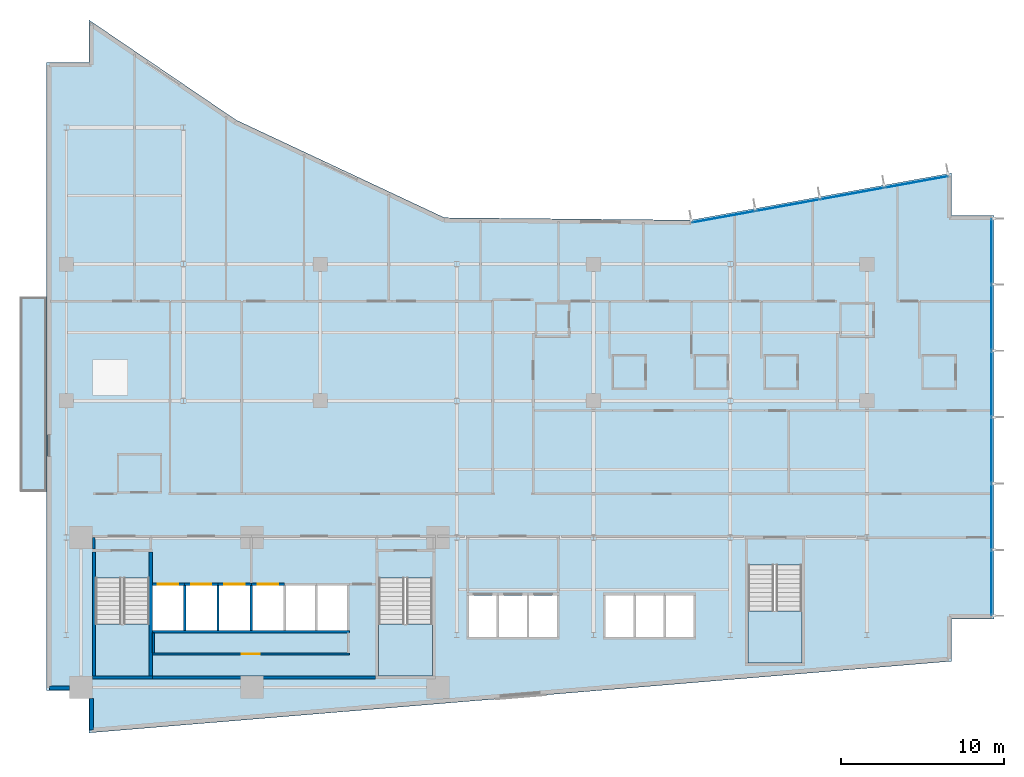
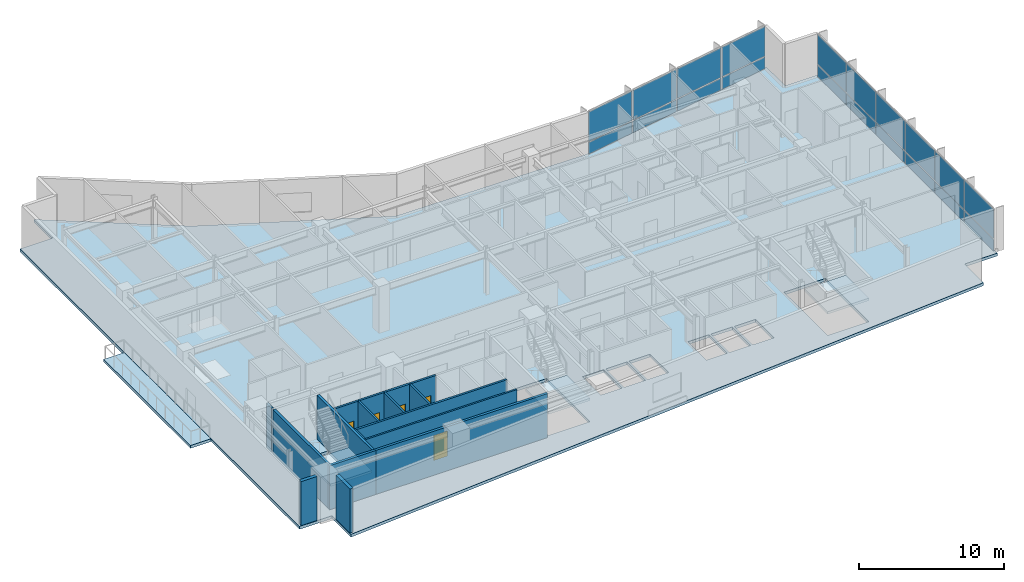
# One storey, part 11 of 22: 20 plates, 17 walls, 5 doors, 5 slabs, 5 openings, 5 elements without a shape of their own.
"""IFC4 building model written with IfcOpenShell, lengths in metres."""

from ifc_helpers import new_model, si_unit, direction, frame, frame_2d, origin, origin_2d, place, context, subcontext, project, spatial, polyline, rectangle, outline, extrude, material, layer, layer_set, type_object, element, fill, aggregate, save


model = new_model("IFC4")

# Units and contexts
model_context = context("Model", 3, precision=1e-05, world=origin(), true_north=direction((0.0, 1.0)))
body_context = subcontext(model_context, "Body", "Model", "MODEL_VIEW")
ifc_project = project(units=[si_unit("LENGTHUNIT", "METRE"), si_unit("AREAUNIT", "SQUARE_METRE"), si_unit("VOLUMEUNIT", "CUBIC_METRE"), si_unit("PLANEANGLEUNIT", "RADIAN"), si_unit("MASSUNIT", "GRAM", prefix="KILO")], contexts=[model_context])

# Site, building, storey
site_placement = place(None, origin())
site = spatial("IfcSite", under=ifc_project, at=site_placement, CompositionType="ELEMENT")
building_placement = place(site_placement, origin())
building = spatial("IfcBuilding", under=site, at=building_placement, Name="Varnakote Quay Hospital", CompositionType="ELEMENT")
storey_placement = place(building_placement, frame((0.0, 0.0, 65.949951171875)))
storey = spatial("IfcBuildingStorey", under=building, at=storey_placement, Name="L16", CompositionType="ELEMENT", Elevation=65.949951171875)

# Curtain wall, plates
ifc_material_1 = material(Name="Anodised aluminium 6063-T6 Bronze", Category="aluminium")
ifc_layer_1 = layer(ifc_material_1, 0.18994140625)
ifc_layer_set_1 = layer_set([ifc_layer_1], Name="Anodised aluminium 6063-T6 Bronze")
curtain_wall_type = type_object("IfcCurtainWallType", Name="CW-SYS-2", PredefinedType="NOTDEFINED", material=ifc_layer_set_1)
curtain_wall_1_placement = place(storey_placement, origin())
curtain_wall_1 = element("IfcCurtainWall", 1, at=curtain_wall_1_placement, inside=storey, type_object=curtain_wall_type, Name="L16 Unitised Bronze Curtain Wall 1", PredefinedType="NOTDEFINED")
ifc_material_2 = material(Name="Double-glazed acoustic laminated glass", Category="glass")
ifc_layer_2 = layer(ifc_material_2, 0.031982421875)
ifc_layer_set_2 = layer_set([ifc_layer_2], Name="Double-glazed acoustic laminated glass")
plate_type = type_object("IfcPlateType", Name="CW-PNL-GLZ-32", PredefinedType="CURTAIN_PANEL", material=ifc_layer_set_2)
plate_1_placement = place(storey_placement, frame((58.0400390625, 9.21875, 0.0751953125), z_axis=(0.0, 0.0, 1.0), x_axis=(0.0, 1.0, 0.0)))
plate_1 = element("IfcPlate", 2, at=plate_1_placement, type_object=plate_type, Name="-2-L16-1 panel 1.1", PredefinedType="CURTAIN_PANEL", context=body_context, shape_type="SweptSolid", body=[
    extrude(rectangle(XDim=3.967529296875, YDim=0.031982421875, at=origin_2d()), origin(), (0.0, 0.0, 1.0), 0.987548828125),
])
plate_2_placement = place(storey_placement, frame((58.0400390625, 9.21875, 1.137451171875), z_axis=(0.0, 0.0, 1.0), x_axis=(0.0, 1.0, 0.0)))
plate_2 = element("IfcPlate", 3, at=plate_2_placement, type_object=plate_type, Name="-2-L16-1 panel 1.2", PredefinedType="CURTAIN_PANEL", context=body_context, shape_type="SweptSolid", body=[
    extrude(rectangle(XDim=3.967529296875, YDim=0.031982421875, at=origin_2d()), origin(), (0.0, 0.0, 1.0), 2.49755859375),
])
plate_3_placement = place(storey_placement, frame((58.0400390625, 13.280029296875, 0.0751953125), z_axis=(0.0, 0.0, 1.0), x_axis=(0.0, 1.0, 0.0)))
plate_3 = element("IfcPlate", 4, at=plate_3_placement, type_object=plate_type, Name="-2-L16-1 panel 2.1", PredefinedType="CURTAIN_PANEL", context=body_context, shape_type="SweptSolid", body=[
    extrude(rectangle(XDim=4.0048828125, YDim=0.031982421875, at=origin_2d()), origin(), (0.0, 0.0, 1.0), 0.987548828125),
])
plate_4_placement = place(storey_placement, frame((58.0400390625, 13.280029296875, 1.137451171875), z_axis=(0.0, 0.0, 1.0), x_axis=(0.0, 1.0, 0.0)))
plate_4 = element("IfcPlate", 5, at=plate_4_placement, type_object=plate_type, Name="-2-L16-1 panel 2.2", PredefinedType="CURTAIN_PANEL", context=body_context, shape_type="SweptSolid", body=[
    extrude(rectangle(XDim=4.0048828125, YDim=0.031982421875, at=origin_2d()), origin(), (0.0, 0.0, 1.0), 2.49755859375),
])
plate_5_placement = place(storey_placement, frame((58.0400390625, 17.360107421875, 0.0751953125), z_axis=(0.0, 0.0, 1.0), x_axis=(0.0, 1.0, 0.0)))
plate_5 = element("IfcPlate", 6, at=plate_5_placement, type_object=plate_type, Name="-2-L16-1 panel 3.1", PredefinedType="CURTAIN_PANEL", context=body_context, shape_type="SweptSolid", body=[
    extrude(rectangle(XDim=4.0048828125, YDim=0.031982421875, at=origin_2d()), origin(), (0.0, 0.0, 1.0), 0.987548828125),
])
plate_6_placement = place(storey_placement, frame((58.0400390625, 17.360107421875, 1.137451171875), z_axis=(0.0, 0.0, 1.0), x_axis=(0.0, 1.0, 0.0)))
plate_6 = element("IfcPlate", 7, at=plate_6_placement, type_object=plate_type, Name="-2-L16-1 panel 3.2", PredefinedType="CURTAIN_PANEL", context=body_context, shape_type="SweptSolid", body=[
    extrude(rectangle(XDim=4.0048828125, YDim=0.031982421875, at=origin_2d()), origin(), (0.0, 0.0, 1.0), 2.49755859375),
])
plate_7_placement = place(storey_placement, frame((58.0400390625, 21.43994140625, 0.0751953125), z_axis=(0.0, 0.0, 1.0), x_axis=(0.0, 1.0, 0.0)))
plate_7 = element("IfcPlate", 8, at=plate_7_placement, type_object=plate_type, Name="-2-L16-1 panel 4.1", PredefinedType="CURTAIN_PANEL", context=body_context, shape_type="SweptSolid", body=[
    extrude(rectangle(XDim=4.0048828125, YDim=0.031982421875, at=origin_2d()), origin(), (0.0, 0.0, 1.0), 0.987548828125),
])
plate_8_placement = place(storey_placement, frame((58.0400390625, 21.43994140625, 1.137451171875), z_axis=(0.0, 0.0, 1.0), x_axis=(0.0, 1.0, 0.0)))
plate_8 = element("IfcPlate", 9, at=plate_8_placement, type_object=plate_type, Name="-2-L16-1 panel 4.2", PredefinedType="CURTAIN_PANEL", context=body_context, shape_type="SweptSolid", body=[
    extrude(rectangle(XDim=4.0048828125, YDim=0.031982421875, at=origin_2d()), origin(), (0.0, 0.0, 1.0), 2.49755859375),
])
plate_9_placement = place(storey_placement, frame((58.0400390625, 25.52001953125, 0.0751953125), z_axis=(0.0, 0.0, 1.0), x_axis=(0.0, 1.0, 0.0)))
plate_9 = element("IfcPlate", 10, at=plate_9_placement, type_object=plate_type, Name="-2-L16-1 panel 5.1", PredefinedType="CURTAIN_PANEL", context=body_context, shape_type="SweptSolid", body=[
    extrude(rectangle(XDim=4.0048828125, YDim=0.031982421875, at=origin_2d()), origin(), (0.0, 0.0, 1.0), 0.987548828125),
])
plate_10_placement = place(storey_placement, frame((58.0400390625, 25.52001953125, 1.137451171875), z_axis=(0.0, 0.0, 1.0), x_axis=(0.0, 1.0, 0.0)))
plate_10 = element("IfcPlate", 11, at=plate_10_placement, type_object=plate_type, Name="-2-L16-1 panel 5.2", PredefinedType="CURTAIN_PANEL", context=body_context, shape_type="SweptSolid", body=[
    extrude(rectangle(XDim=4.0048828125, YDim=0.031982421875, at=origin_2d()), origin(), (0.0, 0.0, 1.0), 2.49755859375),
])
plate_11_placement = place(storey_placement, frame((58.0400390625, 29.581298828125, 0.0751953125), z_axis=(0.0, 0.0, 1.0), x_axis=(0.0, 1.0, 0.0)))
plate_11 = element("IfcPlate", 12, at=plate_11_placement, type_object=plate_type, Name="-2-L16-1 panel 6.1", PredefinedType="CURTAIN_PANEL", context=body_context, shape_type="SweptSolid", body=[
    extrude(rectangle(XDim=3.967529296875, YDim=0.031982421875, at=origin_2d()), origin(), (0.0, 0.0, 1.0), 0.987548828125),
])
plate_12_placement = place(storey_placement, frame((58.0400390625, 29.581298828125, 1.137451171875), z_axis=(0.0, 0.0, 1.0), x_axis=(0.0, 1.0, 0.0)))
plate_12 = element("IfcPlate", 13, at=plate_12_placement, type_object=plate_type, Name="-2-L16-1 panel 6.2", PredefinedType="CURTAIN_PANEL", context=body_context, shape_type="SweptSolid", body=[
    extrude(rectangle(XDim=3.967529296875, YDim=0.031982421875, at=origin_2d()), origin(), (0.0, 0.0, 1.0), 2.49755859375),
])
aggregate(curtain_wall_1, [plate_1, plate_2, plate_3, plate_4, plate_5, plate_6, plate_7, plate_8, plate_9, plate_10, plate_11, plate_12])

curtain_wall_2_placement = place(storey_placement, origin())
curtain_wall_2 = element("IfcCurtainWall", 14, at=curtain_wall_2_placement, inside=storey, type_object=curtain_wall_type, Name="L16 Unitised Bronze Curtain Wall 2", PredefinedType="NOTDEFINED")
plate_13_placement = place(storey_placement, frame((53.440185546875, 33.84716796875, 0.0751953125), z_axis=(0.0, 0.0, 1.0), x_axis=(-0.984058295766, -0.177846199098, 0.0)))
plate_13 = element("IfcPlate", 15, at=plate_13_placement, type_object=plate_type, Name="-2-L16-2 panel 1.1", PredefinedType="CURTAIN_PANEL", context=body_context, shape_type="SweptSolid", body=[
    extrude(rectangle(XDim=3.914306640625, YDim=0.031982421875, at=origin_2d()), origin(), (0.0, 0.0, 1.0), 0.987548828125),
])
plate_14_placement = place(storey_placement, frame((53.440185546875, 33.84716796875, 1.137451171875), z_axis=(0.0, 0.0, 1.0), x_axis=(-0.984058295766, -0.177846199098, 0.0)))
plate_14 = element("IfcPlate", 16, at=plate_14_placement, type_object=plate_type, Name="-2-L16-2 panel 1.2", PredefinedType="CURTAIN_PANEL", context=body_context, shape_type="SweptSolid", body=[
    extrude(rectangle(XDim=3.914306640625, YDim=0.031982421875, at=origin_2d()), origin(), (0.0, 0.0, 1.0), 2.49755859375),
])
plate_15_placement = place(storey_placement, frame((49.49609375, 33.13427734375, 0.0751953125), z_axis=(0.0, 0.0, 1.0), x_axis=(-0.984058295766, -0.177846199098, 0.0)))
plate_15 = element("IfcPlate", 17, at=plate_15_placement, type_object=plate_type, Name="-2-L16-2 panel 2.1", PredefinedType="CURTAIN_PANEL", context=body_context, shape_type="SweptSolid", body=[
    extrude(rectangle(XDim=3.951904296875, YDim=0.031982421875, at=origin_2d()), origin(), (0.0, 0.0, 1.0), 0.987548828125),
])
plate_16_placement = place(storey_placement, frame((49.49609375, 33.13427734375, 1.137451171875), z_axis=(0.0, 0.0, 1.0), x_axis=(-0.984058295766, -0.177846199098, 0.0)))
plate_16 = element("IfcPlate", 18, at=plate_16_placement, type_object=plate_type, Name="-2-L16-2 panel 2.2", PredefinedType="CURTAIN_PANEL", context=body_context, shape_type="SweptSolid", body=[
    extrude(rectangle(XDim=3.951904296875, YDim=0.031982421875, at=origin_2d()), origin(), (0.0, 0.0, 1.0), 2.49755859375),
])
plate_17_placement = place(storey_placement, frame((45.533447265625, 32.418212890625, 0.0751953125), z_axis=(0.0, 0.0, 1.0), x_axis=(-0.984058295766, -0.177846199098, 0.0)))
plate_17 = element("IfcPlate", 19, at=plate_17_placement, type_object=plate_type, Name="-2-L16-2 panel 3.1", PredefinedType="CURTAIN_PANEL", context=body_context, shape_type="SweptSolid", body=[
    extrude(rectangle(XDim=3.951904296875, YDim=0.031982421875, at=origin_2d()), origin(), (0.0, 0.0, 1.0), 0.987548828125),
])
plate_18_placement = place(storey_placement, frame((45.533447265625, 32.418212890625, 1.137451171875), z_axis=(0.0, 0.0, 1.0), x_axis=(-0.984058295766, -0.177846199098, 0.0)))
plate_18 = element("IfcPlate", 20, at=plate_18_placement, type_object=plate_type, Name="-2-L16-2 panel 3.2", PredefinedType="CURTAIN_PANEL", context=body_context, shape_type="SweptSolid", body=[
    extrude(rectangle(XDim=3.951904296875, YDim=0.031982421875, at=origin_2d()), origin(), (0.0, 0.0, 1.0), 2.49755859375),
])
plate_19_placement = place(storey_placement, frame((41.58935546875, 31.705322265625, 0.0751953125), z_axis=(0.0, 0.0, 1.0), x_axis=(-0.984058295766, -0.177846199098, 0.0)))
plate_19 = element("IfcPlate", 21, at=plate_19_placement, type_object=plate_type, Name="-2-L16-2 panel 4.1", PredefinedType="CURTAIN_PANEL", context=body_context, shape_type="SweptSolid", body=[
    extrude(rectangle(XDim=3.914306640625, YDim=0.031982421875, at=origin_2d()), origin(), (0.0, 0.0, 1.0), 0.987548828125),
])
plate_20_placement = place(storey_placement, frame((41.58935546875, 31.705322265625, 1.137451171875), z_axis=(0.0, 0.0, 1.0), x_axis=(-0.984058295766, -0.177846199098, 0.0)))
plate_20 = element("IfcPlate", 22, at=plate_20_placement, type_object=plate_type, Name="-2-L16-2 panel 4.2", PredefinedType="CURTAIN_PANEL", context=body_context, shape_type="SweptSolid", body=[
    extrude(rectangle(XDim=3.914306640625, YDim=0.031982421875, at=origin_2d()), origin(), (0.0, 0.0, 1.0), 2.49755859375),
])
aggregate(curtain_wall_2, [plate_13, plate_14, plate_15, plate_16, plate_17, plate_18, plate_19, plate_20])

# Stair, slab
ifc_material_3 = material(Name="Concrete N40 (f'c 40 MPa)", Category="concrete")
stair_type = type_object("IfcStairType", Name="STR-CORE-1580", PredefinedType="HALF_TURN_STAIR", material=ifc_material_3)
stair_1_placement = place(storey_placement, origin())
stair_1 = element("IfcStair", 23, at=stair_1_placement, inside=storey, type_object=stair_type, Name="L16 Fire-Isolated Exit Stair ST-01", PredefinedType="HALF_TURN_STAIR")
ifc_material_4 = material(Name="Concrete N40 (f'c 40 MPa)", Category="concrete")
ifc_layer_3 = layer(ifc_material_4, 0.199951171875)
ifc_layer_set_3 = layer_set([ifc_layer_3], Name="Concrete N40 (f'c 40 MPa)")
slab_type_1 = type_object("IfcSlabType", Name="SLB-STAIR-LND-200", PredefinedType="LANDING", material=ifc_layer_set_3)
slab_1_placement = place(storey_placement, frame((0.0, 0.0, 1.775146484375)))
slab_1 = element("IfcSlab", 24, at=slab_1_placement, type_object=slab_type_1, Name="ST-01 landing 1", PredefinedType="LANDING", context=body_context, shape_type="SweptSolid", body=[
    extrude(outline(polyline([(3.0, 6.699951171875), (3.0, 3.5), (6.300048828125, 3.5), (6.300048828125, 6.699951171875), (3.0, 6.699951171875)])), origin(), (0.0, 0.0, 1.0), 0.199951171875),
])
aggregate(stair_1, [slab_1])

stair_2_placement = place(storey_placement, origin())
stair_2 = element("IfcStair", 25, at=stair_2_placement, inside=storey, type_object=stair_type, Name="L16 Fire-Isolated Exit Stair ST-02", PredefinedType="HALF_TURN_STAIR")
slab_2_placement = place(storey_placement, frame((0.0, 0.0, 1.775146484375)))
slab_2 = element("IfcSlab", 26, at=slab_2_placement, type_object=slab_type_1, Name="ST-02 landing 1", PredefinedType="LANDING", context=body_context, shape_type="SweptSolid", body=[
    extrude(outline(polyline([(20.39990234375, 6.699951171875), (20.39990234375, 3.5), (23.699951171875, 3.5), (23.699951171875, 6.699951171875), (20.39990234375, 6.699951171875)])), origin(), (0.0, 0.0, 1.0), 0.199951171875),
])
aggregate(stair_2, [slab_2])

stair_3_placement = place(storey_placement, origin())
stair_3 = element("IfcStair", 27, at=stair_3_placement, inside=storey, type_object=stair_type, Name="L16 Fire-Isolated Exit Stair ST-03", PredefinedType="HALF_TURN_STAIR")
slab_3_placement = place(storey_placement, frame((0.0, 0.0, 1.775146484375)))
slab_3 = element("IfcSlab", 28, at=slab_3_placement, type_object=slab_type_1, Name="ST-03 landing 1", PredefinedType="LANDING", context=body_context, shape_type="SweptSolid", body=[
    extrude(outline(polyline([(43.10009765625, 7.5), (43.10009765625, 4.300048828125), (46.39990234375, 4.300048828125), (46.39990234375, 7.5), (43.10009765625, 7.5)])), origin(), (0.0, 0.0, 1.0), 0.199951171875),
])
aggregate(stair_3, [slab_3])

# Slabs
ifc_material_5 = material(Name="Concrete N50 (f'c 50 MPa)", Category="concrete")
ifc_layer_4 = layer(ifc_material_5, 0.239990234375)
ifc_layer_set_4 = layer_set([ifc_layer_4], Name="Concrete N50 (f'c 50 MPa)")
slab_type_2 = type_object("IfcSlabType", Name="SLB-TERR-200", PredefinedType="FLOOR", material=ifc_layer_set_4)
slab_4_placement = place(storey_placement, frame((0.0, 0.0, -0.239990234375)))
element("IfcSlab", 29, at=slab_4_placement, inside=storey, type_object=slab_type_2, Name="L16 Waterfront Healing Terrace Slab", PredefinedType="FLOOR", context=body_context, shape_type="SweptSolid", body=[
    extrude(outline(polyline([(0.00390625, 14.800048828125), (0.00390625, 26.800048828125), (-1.639892578125, 26.800048828125), (-1.639892578125, 14.800048828125), (0.00390625, 14.800048828125)])), origin(), (0.0, 0.0, 1.0), 0.239990234375),
])
ifc_material_6 = material(Name="Concrete N50 (f'c 50 MPa)", Category="concrete")
ifc_layer_5 = layer(ifc_material_6, 0.239990234375)
ifc_layer_set_5 = layer_set([ifc_layer_5], Name="Concrete N50 (f'c 50 MPa)")
slab_type_3 = type_object("IfcSlabType", Name="SLB-WARD-200", PredefinedType="FLOOR", material=ifc_layer_set_5)
slab_5_placement = place(storey_placement, frame((0.0, 0.0, -0.239990234375)))
element("IfcSlab", 30, at=slab_5_placement, inside=storey, type_object=slab_type_3, Name="L16 Primary Floor Slab", PredefinedType="FLOOR", context=body_context, shape_type="SweptSolid", body=[
    extrude(outline(polyline([(0.0, 2.60009765625), (2.60009765625, 2.60009765625), (2.60009765625, 0.0), (55.60009765625, 4.39990234375), (55.60009765625, 7.0), (58.199951171875, 7.0), (58.199951171875, 31.800048828125), (55.60009765625, 31.800048828125), (55.60009765625, 34.39990234375), (39.575927734375, 31.50390625), (24.444091796875, 31.652099609375), (11.639892578125, 37.656005859375), (2.60009765625, 43.800048828125), (2.60009765625, 41.199951171875), (0.0, 41.199951171875), (0.0, 2.60009765625)]), holes=[polyline([(3.0, 3.5), (6.300048828125, 3.5), (6.300048828125, 9.49951171875), (3.0, 9.49951171875), (3.0, 3.5)]), polyline([(20.39990234375, 3.5), (23.699951171875, 3.5), (23.699951171875, 9.49951171875), (20.39990234375, 9.49951171875), (20.39990234375, 3.5)]), polyline([(43.10009765625, 4.300048828125), (46.39990234375, 4.300048828125), (46.39990234375, 10.29931640625), (43.10009765625, 10.29931640625), (43.10009765625, 4.300048828125)]), polyline([(6.5, 6.300048828125), (8.39990234375, 6.300048828125), (8.39990234375, 9.050048828125), (6.5, 9.050048828125), (6.5, 6.300048828125)]), polyline([(8.550048828125, 6.300048828125), (10.449951171875, 6.300048828125), (10.449951171875, 9.050048828125), (8.550048828125, 9.050048828125), (8.550048828125, 6.300048828125)]), polyline([(10.60009765625, 6.300048828125), (12.5, 6.300048828125), (12.5, 9.050048828125), (10.60009765625, 9.050048828125), (10.60009765625, 6.300048828125)]), polyline([(12.64990234375, 6.300048828125), (14.550048828125, 6.300048828125), (14.550048828125, 9.050048828125), (12.64990234375, 9.050048828125), (12.64990234375, 6.300048828125)]), polyline([(14.699951171875, 6.300048828125), (16.5, 6.300048828125), (16.5, 9.050048828125), (14.699951171875, 9.050048828125), (14.699951171875, 6.300048828125)]), polyline([(16.64990234375, 6.300048828125), (18.449951171875, 6.300048828125), (18.449951171875, 9.050048828125), (16.64990234375, 9.050048828125), (16.64990234375, 6.300048828125)]), polyline([(25.949951171875, 5.89990234375), (27.64990234375, 5.89990234375), (27.64990234375, 8.449951171875), (25.949951171875, 8.449951171875), (25.949951171875, 5.89990234375)]), polyline([(27.800048828125, 5.89990234375), (29.5, 5.89990234375), (29.5, 8.449951171875), (27.800048828125, 8.449951171875), (27.800048828125, 5.89990234375)]), polyline([(29.64990234375, 5.89990234375), (31.35009765625, 5.89990234375), (31.35009765625, 8.449951171875), (29.64990234375, 8.449951171875), (29.64990234375, 5.89990234375)]), polyline([(34.35009765625, 5.89990234375), (36.050048828125, 5.89990234375), (36.050048828125, 8.449951171875), (34.35009765625, 8.449951171875), (34.35009765625, 5.89990234375)]), polyline([(36.199951171875, 5.89990234375), (37.89990234375, 5.89990234375), (37.89990234375, 8.449951171875), (36.199951171875, 8.449951171875), (36.199951171875, 5.89990234375)]), polyline([(38.050048828125, 5.89990234375), (39.75, 5.89990234375), (39.75, 8.449951171875), (38.050048828125, 8.449951171875), (38.050048828125, 5.89990234375)])]), origin(), (0.0, 0.0, 1.0), 0.239990234375),
])

# Walls
ifc_material_7 = material(Name="Fire-rated acoustic gypsum stud wall", Category="gypsum")
ifc_layer_6 = layer(ifc_material_7, 0.159912109375)
ifc_layer_set_6 = layer_set([ifc_layer_6], Name="Fire-rated acoustic gypsum stud wall")
wall_type_1 = type_object("IfcWallType", Name="WL-COMP-160", PredefinedType="PARTITIONING", material=ifc_layer_set_6)
wall_1_placement = place(storey_placement, frame((2.8798828125, 11.300048828125, 0.0), z_axis=(0.0, 0.0, 1.0), x_axis=(0.0, 1.0, 0.0)))
element("IfcWall", 31, at=wall_1_placement, inside=storey, type_object=wall_type_1, Name="L16 West Stair Vestibule West Wall", PredefinedType="PARTITIONING", context=body_context, shape_type="SweptSolid", body=[
    extrude(rectangle(XDim=0.699951171875, YDim=0.159912109375, at=frame_2d((0.35009765625, 0.0))), origin(), (0.0, 0.0, 1.0), 3.7099609375),
])
ifc_material_8 = material(Name="Concrete N80 (f'c 80 MPa)", Category="concrete")
ifc_layer_7 = layer(ifc_material_8, 0.199951171875)
ifc_layer_set_7 = layer_set([ifc_layer_7], Name="Concrete N80 (f'c 80 MPa)")
wall_type_2 = type_object("IfcWallType", Name="WL-CORE-N80-200", PredefinedType="SHEAR", material=ifc_layer_set_7)
wall_2_placement = place(storey_placement, frame((6.5, 3.39990234375, 0.0), z_axis=(0.0, 0.0, 1.0), x_axis=(1.0, 0.0, 0.0)))
element("IfcWall", 32, at=wall_2_placement, inside=storey, type_object=wall_type_2, Name="L16 Rear Core South Shear Wall", PredefinedType="SHEAR", context=body_context, shape_type="SweptSolid", body=[
    extrude(rectangle(XDim=13.699951171875, YDim=0.199951171875, at=frame_2d((6.85009765625, 0.0))), origin(), (0.0, 0.0, 1.0), 3.7099609375),
])
ifc_material_9 = material(Name="Precast concrete N50 (f'c 50 MPa)", Category="concrete")
ifc_layer_8 = layer(ifc_material_9, 0.260009765625)
ifc_layer_set_8 = layer_set([ifc_layer_8], Name="Precast concrete N50 (f'c 50 MPa)")
wall_type_3 = type_object("IfcWallType", Name="WL-EXT-BRICK-260", PredefinedType="STANDARD", material=ifc_layer_set_8)
wall_3_placement = place(storey_placement, frame((2.760009765625, 2.114990234375, 0.0), z_axis=(0.0, 0.0, 1.0), x_axis=(0.0, -1.0, 0.0)))
element("IfcWall", 33, at=wall_3_placement, inside=storey, type_object=wall_type_3, Name="L16 Brick-Faced Precast Exterior Wall", PredefinedType="STANDARD", context=body_context, shape_type="SweptSolid", body=[
    extrude(rectangle(XDim=1.941162109375, YDim=0.260009765625, at=frame_2d((0.970703125, 0.0))), origin(), (0.0, 0.0, 1.0), 3.7099609375),
])
wall_4_placement = place(storey_placement, frame((0.159912109375, 2.760009765625, 0.0), z_axis=(0.0, 0.0, 1.0), x_axis=(1.0, 0.0, 0.0)))
element("IfcWall", 34, at=wall_4_placement, inside=storey, type_object=wall_type_3, Name="L16 Brick-Faced Precast Exterior Wall", PredefinedType="STANDARD", context=body_context, shape_type="SweptSolid", body=[
    extrude(rectangle(XDim=1.255126953125, YDim=0.260009765625, at=frame_2d((0.62744140625, 0.0))), origin(), (0.0, 0.0, 1.0), 3.7099609375),
])
ifc_material_10 = material(Name="Concrete N50 (f'c 50 MPa)", Category="concrete")
ifc_layer_9 = layer(ifc_material_10, 0.14990234375)
ifc_layer_set_9 = layer_set([ifc_layer_9], Name="Concrete N50 (f'c 50 MPa)")
wall_type_4 = type_object("IfcWallType", Name="WL-SHAFT-N50-150", PredefinedType="SHEAR", material=ifc_layer_set_9)
for number, where, z_axis, x_axis, name in (
    (35, (8.47509765625, 6.300048828125, 0.0), (0.0, 0.0, 1.0), (0.0, 1.0, 0.0), "L16 LF-FF1 Hoistway Divider Wall"),
    (36, (10.52490234375, 6.300048828125, 0.0), (0.0, 0.0, 1.0), (0.0, 1.0, 0.0), "L16 LF-FF2 Hoistway Divider Wall"),
    (37, (12.574951171875, 6.300048828125, 0.0), (0.0, 0.0, 1.0), (0.0, 1.0, 0.0), "L16 LF-SV1 Hoistway Divider Wall"),
):
    element("IfcWall", number, at=place(storey_placement, frame(where, z_axis=z_axis, x_axis=x_axis)), inside=storey, type_object=wall_type_4, Name=name, PredefinedType="SHEAR", context=body_context, shape_type="SweptSolid", body=[
        extrude(rectangle(XDim=2.75, YDim=0.14990234375, at=frame_2d((1.375, 0.0))), origin(), (0.0, 0.0, 1.0), 3.7099609375),
    ])
ifc_material_11 = material(Name="Concrete N50 (f'c 50 MPa)", Category="concrete")
ifc_layer_10 = layer(ifc_material_11, 0.159912109375)
ifc_layer_set_10 = layer_set([ifc_layer_10], Name="Concrete N50 (f'c 50 MPa)")
wall_type_5 = type_object("IfcWallType", Name="WL-SHAFT-N50-160", PredefinedType="SHEAR", material=ifc_layer_set_10)
wall_5_placement = place(storey_placement, frame((6.5, 6.219970703125, 0.0), z_axis=(0.0, 0.0, 1.0), x_axis=(1.0, 0.0, 0.0)))
element("IfcWall", 38, at=wall_5_placement, inside=storey, type_object=wall_type_5, Name="L16 REAR Lift Bank Back Shear Wall", PredefinedType="SHEAR", context=body_context, shape_type="SweptSolid", body=[
    extrude(rectangle(XDim=12.110107421875, YDim=0.159912109375, at=frame_2d((6.05517578125, 0.0))), origin(), (0.0, 0.0, 1.0), 3.7099609375),
])

# Wall, opening, door
wall_6_placement = place(storey_placement, frame((6.5, 9.1298828125, 0.0), z_axis=(0.0, 0.0, 1.0), x_axis=(1.0, 0.0, 0.0)))
wall_6 = element("IfcWall", 39, at=wall_6_placement, inside=storey, type_object=wall_type_5, Name="L16 LF-FF1 Hoistway Front Wall", PredefinedType="SHEAR", context=body_context, shape_type="SweptSolid", body=[
    extrude(rectangle(XDim=1.97509765625, YDim=0.159912109375, at=frame_2d((0.987548828125, 0.0))), origin(), (0.0, 0.0, 1.0), 3.7099609375),
])
opening_1_placement = place(wall_6_placement, frame((0.324951171875, 0.0, 0.0)))
opening_1 = element("IfcOpeningElement", 40, at=opening_1_placement, cuts=wall_6, Name="Opening LD-FF1-L16", PredefinedType="OPENING", context=body_context, shape_type="SweptSolid", body=[
    extrude(rectangle(XDim=1.25, YDim=2.14990234375, at=frame_2d((0.625, 1.074951171875))), frame((0.0, 0.08984375, 0.0), z_axis=(0.0, -1.0, 0.0), x_axis=(1.0, 0.0, 0.0)), (0.0, 0.0, 1.0), 0.179931640625),
])
ifc_material_12 = material(Name="Stainless steel lift landing sliding door", Category="steel")
door_type_1 = type_object("IfcDoorType", Name="DR-LIFT-LD-1250x2150", OperationType="NOTDEFINED", PredefinedType="DOOR", material=ifc_material_12)
door_1_placement = place(opening_1_placement, origin())
door_1 = element("IfcDoor", 41, at=door_1_placement, inside=storey, type_object=door_type_1, Name="L16 LF-FF1 Lift Landing Sliding Door", OperationType="SLIDING_TO_LEFT", OverallHeight=2.14990234375, OverallWidth=1.25, PredefinedType="DOOR", context=body_context, shape_type="SweptSolid", body=[
    extrude(rectangle(XDim=1.25, YDim=2.14990234375, at=frame_2d((0.625, 1.074951171875))), frame((0.0, 0.02490234375, 0.0), z_axis=(0.0, -1.0, 0.0), x_axis=(1.0, 0.0, 0.0)), (0.0, 0.0, 1.0), 0.050048828125),
])
fill(opening_1, door_1)

wall_7_placement = place(storey_placement, frame((8.47509765625, 9.1298828125, 0.0), z_axis=(0.0, 0.0, 1.0), x_axis=(1.0, 0.0, 0.0)))
wall_7 = element("IfcWall", 42, at=wall_7_placement, inside=storey, type_object=wall_type_5, Name="L16 LF-FF2 Hoistway Front Wall", PredefinedType="SHEAR", context=body_context, shape_type="SweptSolid", body=[
    extrude(rectangle(XDim=2.0498046875, YDim=0.159912109375, at=frame_2d((1.02490234375, 0.0))), origin(), (0.0, 0.0, 1.0), 3.7099609375),
])
opening_2_placement = place(wall_7_placement, frame((0.39990234375, 0.0, 0.0)))
opening_2 = element("IfcOpeningElement", 43, at=opening_2_placement, cuts=wall_7, Name="Opening LD-FF2-L16", PredefinedType="OPENING", context=body_context, shape_type="SweptSolid", body=[
    extrude(rectangle(XDim=1.25, YDim=2.14990234375, at=frame_2d((0.625, 1.074951171875))), frame((0.0, 0.08984375, 0.0), z_axis=(0.0, -1.0, 0.0), x_axis=(1.0, 0.0, 0.0)), (0.0, 0.0, 1.0), 0.179931640625),
])
door_2_placement = place(opening_2_placement, origin())
door_2 = element("IfcDoor", 44, at=door_2_placement, inside=storey, type_object=door_type_1, Name="L16 LF-FF2 Lift Landing Sliding Door", OperationType="SLIDING_TO_LEFT", OverallHeight=2.14990234375, OverallWidth=1.25, PredefinedType="DOOR", context=body_context, shape_type="SweptSolid", body=[
    extrude(rectangle(XDim=1.25, YDim=2.14990234375, at=frame_2d((0.625, 1.074951171875))), frame((0.0, 0.02490234375, 0.0), z_axis=(0.0, -1.0, 0.0), x_axis=(1.0, 0.0, 0.0)), (0.0, 0.0, 1.0), 0.050048828125),
])
fill(opening_2, door_2)

wall_8_placement = place(storey_placement, frame((10.52490234375, 9.1298828125, 0.0), z_axis=(0.0, 0.0, 1.0), x_axis=(1.0, 0.0, 0.0)))
wall_8 = element("IfcWall", 45, at=wall_8_placement, inside=storey, type_object=wall_type_5, Name="L16 LF-SV1 Hoistway Front Wall", PredefinedType="SHEAR", context=body_context, shape_type="SweptSolid", body=[
    extrude(rectangle(XDim=2.050048828125, YDim=0.159912109375, at=frame_2d((1.02490234375, 0.0))), origin(), (0.0, 0.0, 1.0), 3.7099609375),
])
opening_3_placement = place(wall_8_placement, frame((0.39990234375, 0.0, 0.0)))
opening_3 = element("IfcOpeningElement", 46, at=opening_3_placement, cuts=wall_8, Name="Opening LD-SV1-L16", PredefinedType="OPENING", context=body_context, shape_type="SweptSolid", body=[
    extrude(rectangle(XDim=1.25, YDim=2.14990234375, at=frame_2d((0.625, 1.074951171875))), frame((0.0, 0.08984375, 0.0), z_axis=(0.0, -1.0, 0.0), x_axis=(1.0, 0.0, 0.0)), (0.0, 0.0, 1.0), 0.179931640625),
])
door_3_placement = place(opening_3_placement, origin())
door_3 = element("IfcDoor", 47, at=door_3_placement, inside=storey, type_object=door_type_1, Name="L16 LF-SV1 Lift Landing Sliding Door", OperationType="SLIDING_TO_LEFT", OverallHeight=2.14990234375, OverallWidth=1.25, PredefinedType="DOOR", context=body_context, shape_type="SweptSolid", body=[
    extrude(rectangle(XDim=1.25, YDim=2.14990234375, at=frame_2d((0.625, 1.074951171875))), frame((0.0, 0.02490234375, 0.0), z_axis=(0.0, -1.0, 0.0), x_axis=(1.0, 0.0, 0.0)), (0.0, 0.0, 1.0), 0.050048828125),
])
fill(opening_3, door_3)

wall_9_placement = place(storey_placement, frame((12.574951171875, 9.1298828125, 0.0), z_axis=(0.0, 0.0, 1.0), x_axis=(1.0, 0.0, 0.0)))
wall_9 = element("IfcWall", 48, at=wall_9_placement, inside=storey, type_object=wall_type_5, Name="L16 LF-SV2 Hoistway Front Wall", PredefinedType="SHEAR", context=body_context, shape_type="SweptSolid", body=[
    extrude(rectangle(XDim=2.050048828125, YDim=0.159912109375, at=frame_2d((1.02490234375, 0.0))), origin(), (0.0, 0.0, 1.0), 3.7099609375),
])
opening_4_placement = place(wall_9_placement, frame((0.39990234375, 0.0, 0.0)))
opening_4 = element("IfcOpeningElement", 49, at=opening_4_placement, cuts=wall_9, Name="Opening LD-SV2-L16", PredefinedType="OPENING", context=body_context, shape_type="SweptSolid", body=[
    extrude(rectangle(XDim=1.25, YDim=2.14990234375, at=frame_2d((0.625, 1.074951171875))), frame((0.0, 0.08984375, 0.0), z_axis=(0.0, -1.0, 0.0), x_axis=(1.0, 0.0, 0.0)), (0.0, 0.0, 1.0), 0.179931640625),
])
door_4_placement = place(opening_4_placement, origin())
door_4 = element("IfcDoor", 50, at=door_4_placement, inside=storey, type_object=door_type_1, Name="L16 LF-SV2 Lift Landing Sliding Door", OperationType="SLIDING_TO_LEFT", OverallHeight=2.14990234375, OverallWidth=1.25, PredefinedType="DOOR", context=body_context, shape_type="SweptSolid", body=[
    extrude(rectangle(XDim=1.25, YDim=2.14990234375, at=frame_2d((0.625, 1.074951171875))), frame((0.0, 0.02490234375, 0.0), z_axis=(0.0, -1.0, 0.0), x_axis=(1.0, 0.0, 0.0)), (0.0, 0.0, 1.0), 0.050048828125),
])
fill(opening_4, door_4)

# Walls
ifc_material_13 = material(Name="Concrete N50 (f'c 50 MPa)", Category="concrete")
ifc_layer_11 = layer(ifc_material_13, 0.199951171875)
ifc_layer_set_11 = layer_set([ifc_layer_11], Name="Concrete N50 (f'c 50 MPa)")
wall_type_6 = type_object("IfcWallType", Name="WL-SHAFT-N50-200", PredefinedType="SHEAR", material=ifc_layer_set_11)
wall_10_placement = place(storey_placement, frame((2.800048828125, 3.39990234375, 0.0), z_axis=(0.0, 0.0, 1.0), x_axis=(1.0, 0.0, 0.0)))
element("IfcWall", 51, at=wall_10_placement, inside=storey, type_object=wall_type_6, Name="L16 Stair ST1 South Shaft Wall", PredefinedType="SHEAR", context=body_context, shape_type="SweptSolid", body=[
    extrude(rectangle(XDim=3.699951171875, YDim=0.199951171875, at=frame_2d((1.85009765625, 0.0))), origin(), (0.0, 0.0, 1.0), 3.7099609375),
])
for number, where, z_axis, x_axis, name in (
    (52, (2.89990234375, 3.5, 0.0), (0.0, 0.0, 1.0), (0.0, 1.0, 0.0), "L16 Stair ST1 West Shaft Wall"),
    (53, (6.39990234375, 3.5, 0.0), (0.0, 0.0, 1.0), (0.0, 1.0, 0.0), "L16 Stair ST1 East Shaft Wall"),
):
    element("IfcWall", number, at=place(storey_placement, frame(where, z_axis=z_axis, x_axis=x_axis)), inside=storey, type_object=wall_type_6, Name=name, PredefinedType="SHEAR", context=body_context, shape_type="SweptSolid", body=[
        extrude(rectangle(XDim=7.60009765625, YDim=0.199951171875, at=frame_2d((3.800048828125, 0.0))), origin(), (0.0, 0.0, 1.0), 3.7099609375),
    ])
ifc_material_14 = material(Name="Smoke-proof clinical partition", Category="gypsum")
ifc_layer_12 = layer(ifc_material_14, 0.1201171875)
ifc_layer_set_12 = layer_set([ifc_layer_12], Name="Smoke-proof clinical partition")
wall_type_7 = type_object("IfcWallType", Name="WL-SMOKE-120", PredefinedType="PARTITIONING", material=ifc_layer_set_12)
wall_11_placement = place(storey_placement, frame((6.56005859375, 4.919921875, 0.0), z_axis=(0.0, 0.0, 1.0), x_axis=(0.0, 1.0, 0.0)))
element("IfcWall", 54, at=wall_11_placement, inside=storey, type_object=wall_type_7, Name="L16 Core Service Strip West Wall", PredefinedType="PARTITIONING", context=body_context, shape_type="SweptSolid", body=[
    extrude(rectangle(XDim=1.219970703125, YDim=0.1201171875, at=frame_2d((0.60986328125, 0.0))), origin(), (0.0, 0.0, 1.0), 3.7099609375),
])

# Wall, opening, door
ifc_material_15 = material(Name="Fire-rated clinical gypsum partition", Category="gypsum")
ifc_layer_13 = layer(ifc_material_15, 0.139892578125)
ifc_layer_set_13 = layer_set([ifc_layer_13], Name="Fire-rated clinical gypsum partition")
wall_type_8 = type_object("IfcWallType", Name="WL-WARD-140", PredefinedType="PARTITIONING", material=ifc_layer_set_13)
wall_12_placement = place(storey_placement, frame((6.5, 4.85009765625, 0.0), z_axis=(0.0, 0.0, 1.0), x_axis=(1.0, 0.0, 0.0)))
wall_12 = element("IfcWall", 55, at=wall_12_placement, inside=storey, type_object=wall_type_8, Name="L16 Core Clean Linen Store South Wall", PredefinedType="PARTITIONING", context=body_context, shape_type="SweptSolid", body=[
    extrude(rectangle(XDim=12.10009765625, YDim=0.139892578125, at=frame_2d((6.050048828125, 0.0))), origin(), (0.0, 0.0, 1.0), 3.7099609375),
])
opening_5_placement = place(wall_12_placement, frame((5.5, 0.0, 0.0)))
opening_5 = element("IfcOpeningElement", 56, at=opening_5_placement, cuts=wall_12, Name="Opening D-L16-CR01", PredefinedType="OPENING", context=body_context, shape_type="SweptSolid", body=[
    extrude(rectangle(XDim=1.10009765625, YDim=2.10009765625, at=frame_2d((0.550048828125, 1.050048828125))), frame((0.0, 0.079833984375, 0.0), z_axis=(0.0, -1.0, 0.0), x_axis=(1.0, 0.0, 0.0)), (0.0, 0.0, 1.0), 0.159912109375),
])
ifc_material_16 = material(Name="Acoustic timber clinical consult door", Category="wood")
door_type_2 = type_object("IfcDoorType", Name="DR-CLIN-FD30S-1100x2100", OperationType="NOTDEFINED", PredefinedType="DOOR", material=ifc_material_16)
door_5_placement = place(opening_5_placement, origin())
door_5 = element("IfcDoor", 57, at=door_5_placement, inside=storey, type_object=door_type_2, Name="L16 Core Clean Linen Store Door", OperationType="SINGLE_SWING_LEFT", OverallHeight=2.10009765625, OverallWidth=1.10009765625, PredefinedType="DOOR", context=body_context, shape_type="SweptSolid", body=[
    extrude(rectangle(XDim=1.10009765625, YDim=2.10009765625, at=frame_2d((0.550048828125, 1.050048828125))), frame((0.0, 0.02490234375, 0.0), z_axis=(0.0, -1.0, 0.0), x_axis=(1.0, 0.0, 0.0)), (0.0, 0.0, 1.0), 0.050048828125),
])
fill(opening_5, door_5)

save(model, "model.ifc")
